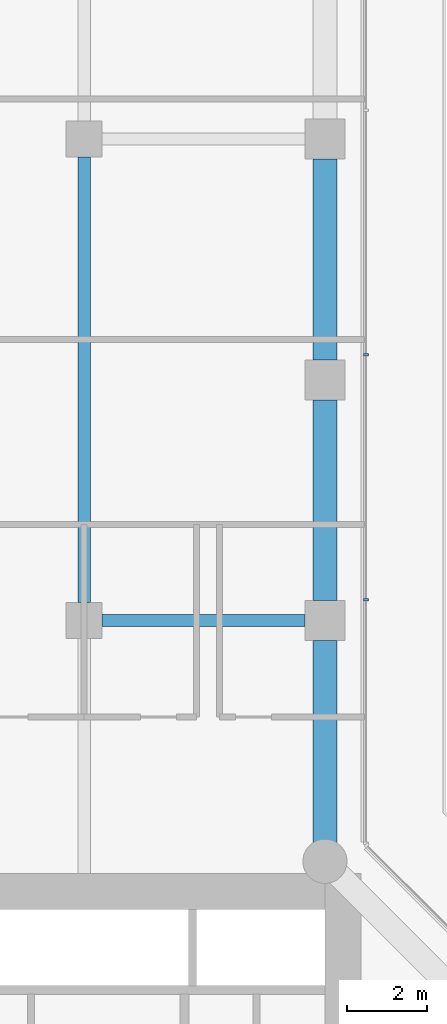
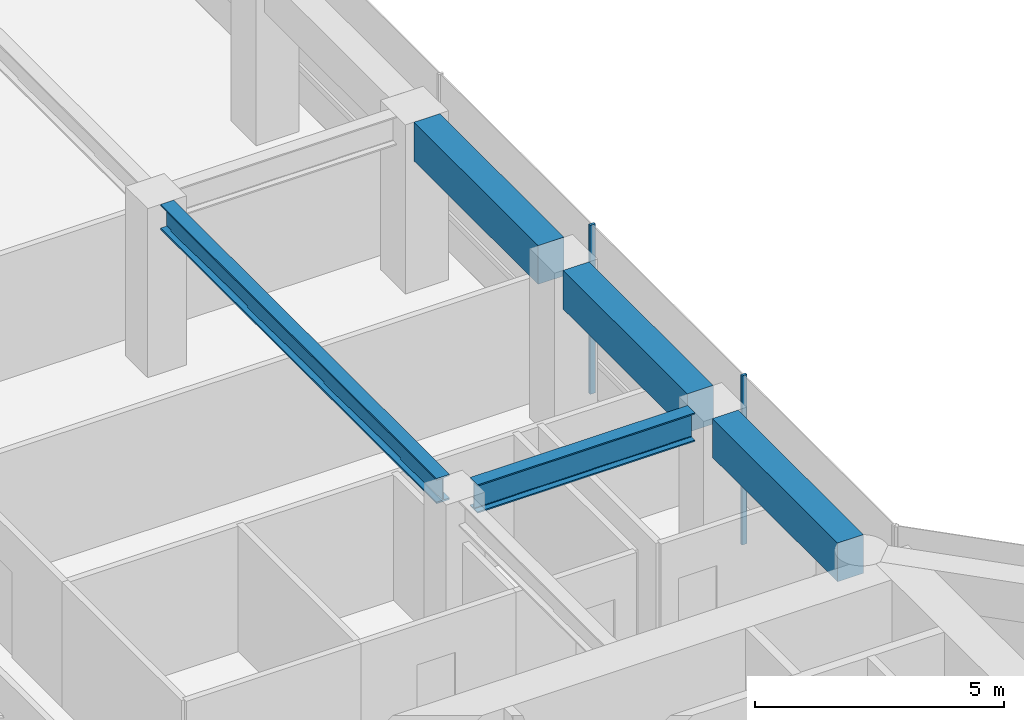
# One storey, part 14 of 24: 5 beams, 2 members, 1 element without a shape of its own.
"""IFC4 building model written with IfcOpenShell, lengths in metres."""

from ifc_helpers import new_model, si_unit, direction, frame, origin, origin_2d, place, context, subcontext, project, spatial, rectangle, i_section, extrude, material, layer, layer_set, material_profile, profile_set, type_object, element, aggregate, save


model = new_model("IFC4")

# Units and contexts
model_context = context("Model", 3, precision=1e-05, world=origin(), true_north=direction((0.0, 1.0)))
body_context = subcontext(model_context, "Body", "Model", "MODEL_VIEW")
ifc_project = project(units=[si_unit("LENGTHUNIT", "METRE"), si_unit("AREAUNIT", "SQUARE_METRE"), si_unit("VOLUMEUNIT", "CUBIC_METRE"), si_unit("PLANEANGLEUNIT", "RADIAN"), si_unit("MASSUNIT", "GRAM", prefix="KILO")], contexts=[model_context])

# Site, building, storey
site_placement = place(None, origin())
site = spatial("IfcSite", under=ifc_project, at=site_placement, CompositionType="ELEMENT")
building_placement = place(site_placement, origin())
building = spatial("IfcBuilding", under=site, at=building_placement, Name="Welwitschia Terrace Campus", CompositionType="ELEMENT")
storey_placement = place(building_placement, frame((0.0, 0.0, 20.0)))
storey = spatial("IfcBuildingStorey", under=building, at=storey_placement, Name="L04", CompositionType="ELEMENT", Elevation=20.0)

# Beam
ifc_material_1 = material(Name="Steel S355", Category="steel")
ifc_material_profile_1 = material_profile(ifc_material_1, i_section(OverallWidth=0.304931640625, OverallDepth=0.6201171875, WebThickness=0.02099609375, FlangeThickness=0.0400390625, FilletRadius=0.027099609375, at=origin_2d()))
ifc_profile_set_1 = profile_set([ifc_material_profile_1], Name="Steel S355")
beam_type_1 = type_object("IfcBeamType", Name="Interior girder HE 600 M", PredefinedType="BEAM", material=ifc_profile_set_1)
beam_1_placement = place(storey_placement, frame((18.0, 32.450439453125, 3.840087890625), z_axis=(0.0, 1.0, 0.0), x_axis=(-1.0, 0.0, 0.0)))
element("IfcBeam", 1, at=beam_1_placement, inside=storey, type_object=beam_type_1, Name="Girder GB1", PredefinedType="BEAM", context=body_context, shape_type="SweptSolid", body=[
    extrude(i_section(OverallWidth=0.304931640625, OverallDepth=0.6201171875, WebThickness=0.02099609375, FlangeThickness=0.0400390625, FilletRadius=0.027099609375, at=origin_2d()), origin(), (0.0, 0.0, 1.0), 11.09912109375),
])

# Curtain wall, members
ifc_material_2 = material(Name="Bronze anodised aluminium", Category="aluminium")
ifc_layer = layer(ifc_material_2, 0.1201171875)
ifc_layer_set = layer_set([ifc_layer], Name="Bronze anodised aluminium")
curtain_wall_type = type_object("IfcCurtainWallType", Name="Curtain wall CW2 tower 6000", PredefinedType="NOTDEFINED", material=ifc_layer_set)
curtain_wall_placement = place(storey_placement, origin())
curtain_wall = element("IfcCurtainWall", 2, at=curtain_wall_placement, inside=storey, type_object=curtain_wall_type, Name="CW L04.7.0", PredefinedType="NOTDEFINED")
ifc_material_3 = material(Name="Bronze anodised aluminium", Category="aluminium")
ifc_material_profile_2 = material_profile(ifc_material_3, rectangle(XDim=0.1201171875, YDim=0.06005859375, at=origin_2d()))
ifc_profile_set_2 = profile_set([ifc_material_profile_2], Name="Bronze anodised aluminium")
member_type = type_object("IfcMemberType", Name="Mullion 60x120", PredefinedType="MULLION", material=ifc_profile_set_2)
member_1_placement = place(storey_placement, frame((25.02001953125, 32.52197265625, 0.0), z_axis=(0.0, 0.0, 1.0), x_axis=(-1.0, 0.0, 0.0)))
member_1 = element("IfcMember", 3, at=member_1_placement, type_object=member_type, Name="Mullion L04.7.0.1", PredefinedType="MULLION", context=body_context, shape_type="SweptSolid", body=[
    extrude(rectangle(XDim=0.1201171875, YDim=0.06005859375, at=origin_2d()), origin(), (0.0, 0.0, 1.0), 4.14990234375),
])
member_2_placement = place(storey_placement, frame((25.02001953125, 38.62158203125, 0.0), z_axis=(0.0, 0.0, 1.0), x_axis=(-1.0, 0.0, 0.0)))
member_2 = element("IfcMember", 4, at=member_2_placement, type_object=member_type, Name="Mullion L04.7.0.2", PredefinedType="MULLION", context=body_context, shape_type="SweptSolid", body=[
    extrude(rectangle(XDim=0.1201171875, YDim=0.06005859375, at=origin_2d()), origin(), (0.0, 0.0, 1.0), 4.14990234375),
])
aggregate(curtain_wall, [member_1, member_2])

# Beams
ifc_material_4 = material(Name="Steel S355", Category="steel")
ifc_material_profile_3 = material_profile(ifc_material_4, i_section(OverallWidth=0.300048828125, OverallDepth=0.699951171875, WebThickness=0.01708984375, FlangeThickness=0.031982421875, FilletRadius=0.027099609375, at=origin_2d()))
ifc_profile_set_3 = profile_set([ifc_material_profile_3], Name="Steel S355")
beam_type_2 = type_object("IfcBeamType", Name="Primary beam HE 700 B", PredefinedType="BEAM", material=ifc_profile_set_3)
beam_2_placement = place(storey_placement, frame((23.49951171875, 32.0, 3.800048828125), z_axis=(-1.0, 0.0, 0.0), x_axis=(0.0, -1.0, 0.0)))
element("IfcBeam", 5, at=beam_2_placement, inside=storey, type_object=beam_type_2, Name="Primary beam PB1", PredefinedType="BEAM", context=body_context, shape_type="SweptSolid", body=[
    extrude(i_section(OverallWidth=0.300048828125, OverallDepth=0.699951171875, WebThickness=0.01708984375, FlangeThickness=0.031982421875, FilletRadius=0.027099609375, at=origin_2d()), origin(), (0.0, 0.0, 1.0), 5.049072265625),
])
ifc_material_5 = material(Name="Concrete C60/75", Category="concrete")
ifc_material_profile_4 = material_profile(ifc_material_5, rectangle(XDim=0.60009765625, YDim=0.949951171875, at=origin_2d()))
ifc_profile_set_4 = profile_set([ifc_material_profile_4], Name="Concrete C60/75")
beam_type_3 = type_object("IfcBeamType", Name="Ring spandrel 600x950", PredefinedType="SPANDREL", material=ifc_profile_set_4)
beam_3_placement = place(storey_placement, frame((24.0, 26.46142578125, 3.675048828125), z_axis=(0.0, 1.0, 0.0), x_axis=(-1.0, 0.0, 0.0)))
element("IfcBeam", 6, at=beam_3_placement, inside=storey, type_object=beam_type_3, Name="Spandrel SP1", PredefinedType="SPANDREL", context=body_context, shape_type="SweptSolid", body=[
    extrude(rectangle(XDim=0.60009765625, YDim=0.949951171875, at=origin_2d()), origin(), (0.0, 0.0, 1.0), 5.0380859375),
])
for number, where, z_axis, x_axis, name in (
    (7, (24.0, 32.50048828125, 3.675048828125), (0.0, 1.0, 0.0), (-1.0, 0.0, 0.0), "Spandrel SP1"),
    (8, (24.0, 38.50048828125, 3.675048828125), (0.0, 1.0, 0.0), (-1.0, 0.0, 0.0), "Spandrel SP1"),
):
    element("IfcBeam", number, at=place(storey_placement, frame(where, z_axis=z_axis, x_axis=x_axis)), inside=storey, type_object=beam_type_3, Name=name, PredefinedType="SPANDREL", context=body_context, shape_type="SweptSolid", body=[
        extrude(rectangle(XDim=0.60009765625, YDim=0.949951171875, at=origin_2d()), origin(), (0.0, 0.0, 1.0), 4.9990234375),
    ])

save(model, "model.ifc")
